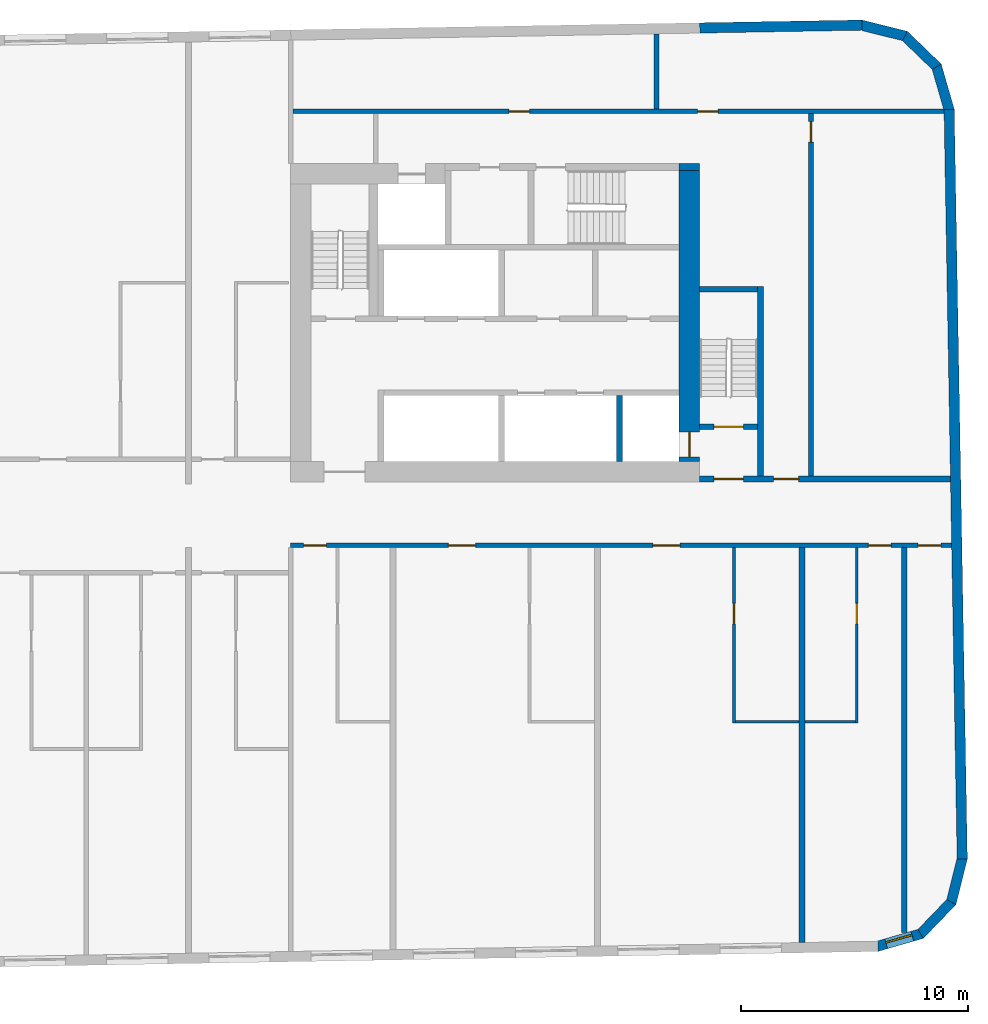
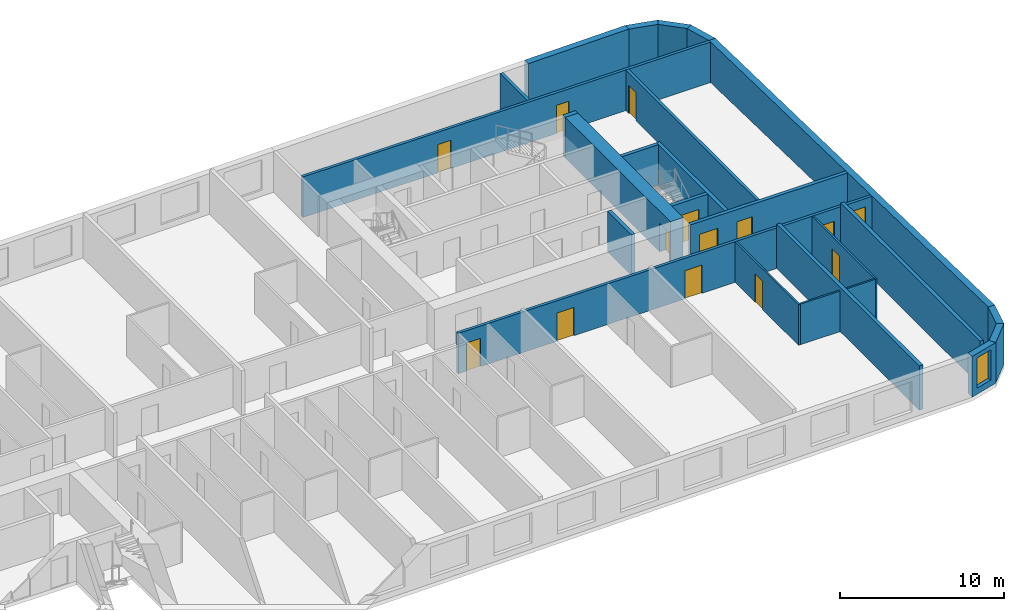
# One storey, part 7 of 11: 25 walls, 14 doors, 1 window, 15 openings.
"""IFC4 building model written with IfcOpenShell, lengths in metres."""

import ifcopenshell
import ifcopenshell.guid

model = None  # the IFC model being written
_history = None  # IfcOwnerHistory: only IFC2X3 demands one
_inside = {}  # id of a spatial element -> (the spatial element, [elements in it])
_under = {}  # id of a project, library or spatial element -> (it, [spatial elements below it])
_declared = {}  # id of a project -> (the project, [libraries it declares])
_typed = {}  # id of a type object -> (the type object, [elements of that type])
_made_of = {}  # id of a material, layer set ... -> (it, [elements and type objects made of it])


def new_model(schema):
    """Start an empty IFC model of exactly this schema.

    Asked for "IFC4X3", IfcOpenShell would pick the latest addendum, in which some entities
    have other attributes; the version numbers below select the first issue.
    IFC2X3 requires an IfcOwnerHistory on every rooted entity: one is made here for all.
    """
    global model, _history
    if schema == "IFC4X3":
        model = ifcopenshell.file(schema_version=(4, 3, 0, 0))
    else:
        model = ifcopenshell.file(schema=schema)
    _inside.clear()
    _under.clear()
    _declared.clear()
    _typed.clear()
    _made_of.clear()
    _history = None
    if model.schema == "IFC2X3":
        org = make("IfcOrganization", Name="unknown")
        user = make(
            "IfcPersonAndOrganization",
            ThePerson=make("IfcPerson", FamilyName="unknown"),
            TheOrganization=org,
        )
        app = make(
            "IfcApplication",
            ApplicationDeveloper=org,
            Version="unknown",
            ApplicationFullName="unknown",
            ApplicationIdentifier="unknown",
        )
        _history = make(
            "IfcOwnerHistory",
            OwningUser=user,
            OwningApplication=app,
            ChangeAction="ADDED",
            CreationDate=0,
        )
    return model


def make(cls, **values):
    """One entity of the class cls with the attributes given. An attribute that is None is left unset."""
    return model.create_entity(
        cls, **{name: value for name, value in values.items() if value is not None}
    )


def rooted(cls, **values):
    """An entity with a GlobalId (a new one), such as an element, a storey or a relation."""
    return make(cls, GlobalId=ifcopenshell.guid.new(), OwnerHistory=_history, **values)


def si_unit(unit_type, name, prefix=None):
    """IfcSIUnit, for example si_unit("LENGTHUNIT", "METRE", prefix="MILLI")."""
    return make("IfcSIUnit", UnitType=unit_type, Prefix=prefix, Name=name)


def assignment(units):
    """IfcUnitAssignment: the units of a project."""
    return None if units is None else make("IfcUnitAssignment", Units=units)


def point(xyz):
    """IfcCartesianPoint."""
    return None if xyz is None else make("IfcCartesianPoint", Coordinates=xyz)


def direction(xyz):
    """IfcDirection."""
    return None if xyz is None else make("IfcDirection", DirectionRatios=xyz)


def frame(location, z_axis=None, x_axis=None):
    """IfcAxis2Placement3D, a coordinate frame: its origin and axes. An axis left out is left unset."""
    return make(
        "IfcAxis2Placement3D",
        Location=point(location),
        Axis=direction(z_axis),
        RefDirection=direction(x_axis),
    )


def frame_2d(location, x_axis=None):
    """IfcAxis2Placement2D, a coordinate frame in the plane: its origin and x axis."""
    return make(
        "IfcAxis2Placement2D", Location=point(location), RefDirection=direction(x_axis)
    )


def origin():
    """The frame at (0, 0, 0) with its axes left unset."""
    return frame((0.0, 0.0, 0.0))


def place(relative_to, where):
    """IfcLocalPlacement: puts the frame where relative to a parent placement (None: the world)."""
    return make(
        "IfcLocalPlacement", PlacementRelTo=relative_to, RelativePlacement=where
    )


def context(
    kind, dimensions, precision=None, world=None, true_north=None, identifier=None
):
    """IfcGeometricRepresentationContext, for example the 3D "Model" context."""
    return make(
        "IfcGeometricRepresentationContext",
        ContextIdentifier=identifier,
        ContextType=kind,
        CoordinateSpaceDimension=dimensions,
        Precision=precision,
        WorldCoordinateSystem=world,
        TrueNorth=true_north,
    )


def subcontext(parent, identifier, kind, view, scale=None):
    """IfcGeometricRepresentationSubContext, for example "Body" below "Model"."""
    return make(
        "IfcGeometricRepresentationSubContext",
        ContextIdentifier=identifier,
        ContextType=kind,
        ParentContext=parent,
        TargetScale=scale,
        TargetView=view,
    )


def project(units=None, contexts=None):
    """IfcProject with its units and contexts."""
    return rooted(
        "IfcProject",
        Name="project",
        RepresentationContexts=contexts,
        UnitsInContext=assignment(units),
    )


def spatial(cls, under=None, at=None, **own):
    """A site, building, storey or space (cls), placed at a placement, below another one or the project."""
    s = rooted(cls, ObjectPlacement=at, **own)
    if under is not None:
        _under.setdefault(under.id(), (under, []))[1].append(s)
    return s


def polyline(points):
    """IfcPolyline through the points."""
    return make("IfcPolyline", Points=[point(p) for p in points])


def profile(cls, at=None, kind="AREA", **sizes):
    """A parametric profile (cls). Its sizes go by their IFC names, for example OverallWidth=200.0."""
    return make(cls, ProfileType=kind, Position=at, **sizes)


def rectangle(**sizes):
    """IfcRectangleProfileDef."""
    return profile("IfcRectangleProfileDef", **sizes)


def outline(outer, holes=None, kind="AREA"):
    """IfcArbitraryClosedProfileDef: a profile drawn as a closed curve; with holes, ...WithVoids."""
    if holes is None:
        return make("IfcArbitraryClosedProfileDef", ProfileType=kind, OuterCurve=outer)
    return make(
        "IfcArbitraryProfileDefWithVoids",
        ProfileType=kind,
        OuterCurve=outer,
        InnerCurves=holes,
    )


def extrude(swept, where, along, depth):
    """IfcExtrudedAreaSolid: the profile swept, set in the frame where, extruded along a direction by depth."""
    return make(
        "IfcExtrudedAreaSolid",
        SweptArea=swept,
        Position=where,
        ExtrudedDirection=direction(along),
        Depth=depth,
    )


def shape(context_of_items, identifier, shape_type, items):
    """IfcShapeRepresentation: the items that make up one representation, for example the "Body"."""
    return make(
        "IfcShapeRepresentation",
        ContextOfItems=context_of_items,
        RepresentationIdentifier=identifier,
        RepresentationType=shape_type,
        Items=items,
    )


def material(Name=None, Category=None):
    """IfcMaterial."""
    return make("IfcMaterial", Name=Name, Category=Category)


def layer(
    of_material, thickness, ventilated=None, Name=None, Category=None, Priority=None
):
    """IfcMaterialLayer: one layer of a wall or slab, of a material (None: an air gap)."""
    return make(
        "IfcMaterialLayer",
        Material=of_material,
        LayerThickness=thickness,
        IsVentilated=ventilated,
        Name=Name,
        Category=Category,
        Priority=Priority,
    )


def layer_set(layers, Name=None):
    """IfcMaterialLayerSet."""
    return make("IfcMaterialLayerSet", MaterialLayers=layers, LayerSetName=Name)


def made_of(thing, what):
    """Note that an element or type object is made of a material, layer set ...; save() writes the relation."""
    if what is not None:
        _made_of.setdefault(what.id(), (what, []))[1].append(thing)
    return thing


def type_object(cls, material=None, **own):
    """A type object (cls), such as IfcWallType, which elements share."""
    return made_of(rooted(cls, **own), material)


def element(
    cls,
    number,
    at=None,
    inside=None,
    cuts=None,
    type_object=None,
    material=None,
    context=None,
    identifier="Body",
    shape_type=None,
    held_by="IfcProductDefinitionShape",
    body=None,
    shapes=None,
    **own,
):
    """One element of the class cls, such as IfcWall. Its Tag is "e" and its number.

    at: its placement. inside: the storey or other place that contains it. cuts: it is an
    opening in that element (IfcRelVoidsElement). A single representation is given by context,
    identifier, shape_type and body (its items); several are given by shapes. held_by: the class
    of the entity that holds the representations. save() writes the other relations.
    """
    e = rooted(cls, Tag="e%d" % number, ObjectPlacement=at, **own)
    if body is not None:
        shapes = [shape(context, identifier, shape_type, body)]
    if shapes is not None:
        e.Representation = make(held_by, Representations=shapes)
    if inside is not None:
        _inside.setdefault(inside.id(), (inside, []))[1].append(e)
    if cuts is not None:
        rooted(
            "IfcRelVoidsElement", RelatingBuildingElement=cuts, RelatedOpeningElement=e
        )
    if type_object is not None:
        _typed.setdefault(type_object.id(), (type_object, []))[1].append(e)
    return made_of(e, material)


def fill(opening, filler):
    """IfcRelFillsElement: the door or window that sits in an opening."""
    return rooted(
        "IfcRelFillsElement",
        RelatingOpeningElement=opening,
        RelatedBuildingElement=filler,
    )


def aggregate(whole, parts):
    """IfcRelAggregates: a whole, such as a stair, and the parts it consists of."""
    return rooted("IfcRelAggregates", RelatingObject=whole, RelatedObjects=parts)


def save(model, path):
    """Write the relations noted so far, then the file.

    IfcRelAggregates (storeys below a building ...), IfcRelContainedInSpatialStructure (elements
    in a storey), IfcRelDefinesByType, IfcRelAssociatesMaterial and IfcRelDeclares: one each for
    every whole, place, type object, material and project.
    """
    for whole, parts in _under.values():
        aggregate(whole, parts)
    for where, things in _inside.values():
        rooted(
            "IfcRelContainedInSpatialStructure",
            RelatedElements=things,
            RelatingStructure=where,
        )
    for kind, things in _typed.values():
        rooted("IfcRelDefinesByType", RelatedObjects=things, RelatingType=kind)
    for what, things in _made_of.values():
        rooted("IfcRelAssociatesMaterial", RelatedObjects=things, RelatingMaterial=what)
    for by, libraries in _declared.values():
        rooted("IfcRelDeclares", RelatingContext=by, RelatedDefinitions=libraries)
    model.write(path)


model = new_model("IFC4")

# Units and contexts
model_context = context("Model", 3, precision=1e-05, world=origin(), true_north=direction((0.0, 1.0)))
body_context = subcontext(model_context, "Body", "Model", "MODEL_VIEW")
ifc_project = project(units=[si_unit("LENGTHUNIT", "METRE"), si_unit("AREAUNIT", "SQUARE_METRE"), si_unit("VOLUMEUNIT", "CUBIC_METRE"), si_unit("PLANEANGLEUNIT", "RADIAN"), si_unit("MASSUNIT", "GRAM", prefix="KILO")], contexts=[model_context])

# Site, building, storey
site_placement = place(None, origin())
site = spatial("IfcSite", under=ifc_project, at=site_placement, CompositionType="ELEMENT")
building_placement = place(site_placement, origin())
building = spatial("IfcBuilding", under=site, at=building_placement, Name="Kajstack Hotel Tower", CompositionType="ELEMENT")
storey_placement = place(building_placement, frame((0.0, 0.0, 244.10009765625)))
storey = spatial("IfcBuildingStorey", under=building, at=storey_placement, Name="L60", CompositionType="ELEMENT", Elevation=244.10009765625)

# Wall
ifc_material_1 = material(Name="Concrete C60/75", Category="concrete")
ifc_layer_1 = layer(ifc_material_1, 0.89990234375)
ifc_layer_set_1 = layer_set([ifc_layer_1], Name="Core wall 900")
wall_type_1 = type_object("IfcWallType", Name="Core wall 900", PredefinedType="SHEAR", material=ifc_layer_set_1)
wall_1_placement = place(storey_placement, frame((30.60009765625, 15.35009765625, 0.0), z_axis=(0.0, 0.0, 1.0), x_axis=(1.0, 0.0, 0.0)))
element("IfcWall", 1, at=wall_1_placement, inside=storey, type_object=wall_type_1, Name="Core wall E RSW", PredefinedType="SHEAR", context=body_context, shape_type="SweptSolid", body=[
    extrude(rectangle(XDim=0.89990234375, YDim=0.300048828125, at=frame_2d((0.449951171875, 0.0))), origin(), (0.0, 0.0, 1.0), 3.02001953125),
])

# Wall, opening, door
wall_2_placement = place(storey_placement, frame((31.050048828125, 2.39990234375, 0.0), z_axis=(0.0, 0.0, 1.0), x_axis=(0.0, 1.0, 0.0)))
wall_2 = element("IfcWall", 2, at=wall_2_placement, inside=storey, type_object=wall_type_1, Name="Core wall E RW", PredefinedType="SHEAR", context=body_context, shape_type="SweptSolid", body=[
    extrude(rectangle(XDim=12.800048828125, YDim=0.89990234375, at=frame_2d((6.39990234375, 0.0))), origin(), (0.0, 0.0, 1.0), 3.02001953125),
])
opening_1_placement = place(wall_2_placement, frame((0.199951171875, 0.0, 0.0)))
opening_1 = element("IfcOpeningElement", 3, at=opening_1_placement, cuts=wall_2, Name="Opening LD-FF2", PredefinedType="OPENING", context=body_context, shape_type="SweptSolid", body=[
    extrude(rectangle(XDim=1.10009765625, YDim=2.10009765625, at=frame_2d((0.550048828125, 1.050048828125))), frame((0.0, 0.4599609375, 0.0), z_axis=(0.0, -1.0, 0.0), x_axis=(1.0, 0.0, 0.0)), (0.0, 0.0, 1.0), 0.919921875),
])
ifc_material_2 = material(Name="Stainless steel", Category="steel")
door_type_1 = type_object("IfcDoorType", Name="Fire-fighting lift landing door 1100", OperationType="SLIDING_TO_LEFT", PredefinedType="DOOR", material=ifc_material_2)
door_1_placement = place(opening_1_placement, origin())
door_1 = element("IfcDoor", 4, at=door_1_placement, inside=storey, type_object=door_type_1, Name="Landing door FF2", OperationType="SLIDING_TO_LEFT", OverallHeight=2.10009765625, OverallWidth=1.10009765625, PredefinedType="DOOR", context=body_context, shape_type="SweptSolid", body=[
    extrude(rectangle(XDim=1.10009765625, YDim=2.10009765625, at=frame_2d((0.550048828125, 1.050048828125))), frame((0.0, 0.02490234375, 0.0), z_axis=(0.0, -1.0, 0.0), x_axis=(1.0, 0.0, 0.0)), (0.0, 0.0, 1.0), 0.050048828125),
])
fill(opening_1, door_1)

# Wall, openings, doors
ifc_material_3 = material(Name="Gypsum board on steel studs, mineral wool", Category="steel")
ifc_layer_2 = layer(ifc_material_3, 0.199951171875)
ifc_layer_set_2 = layer_set([ifc_layer_2], Name="Corridor wall 200")
wall_type_2 = type_object("IfcWallType", Name="Corridor wall 200", PredefinedType="PARTITIONING", material=ifc_layer_set_2)
wall_3_placement = place(storey_placement, frame((13.5, -1.300048828125, 0.0), z_axis=(0.0, 0.0, 1.0), x_axis=(1.0, 0.0, 0.0)))
wall_3 = element("IfcWall", 5, at=wall_3_placement, inside=storey, type_object=wall_type_2, Name="G-wall-L60-021", PredefinedType="PARTITIONING", context=body_context, shape_type="SweptSolid", body=[
    extrude(rectangle(XDim=29.091064453125, YDim=0.199951171875, at=frame_2d((14.54541015625, 0.0))), origin(), (0.0, 0.0, 1.0), 3.02001953125),
])
opening_2_placement = place(wall_3_placement, frame((0.574951171875, 0.0, 0.0)))
opening_2 = element("IfcOpeningElement", 6, at=opening_2_placement, cuts=wall_3, Name="Opening 60027", PredefinedType="OPENING", context=body_context, shape_type="SweptSolid", body=[
    extrude(rectangle(XDim=1.0, YDim=2.10009765625, at=frame_2d((0.5, 1.050048828125))), frame((0.0, 0.10986328125, 0.0), z_axis=(0.0, -1.0, 0.0), x_axis=(1.0, 0.0, 0.0)), (0.0, 0.0, 1.0), 0.219970703125),
])
opening_3_placement = place(wall_3_placement, frame((6.93798828125, 0.0, 0.0)))
opening_3 = element("IfcOpeningElement", 7, at=opening_3_placement, cuts=wall_3, Name="Opening 60029", PredefinedType="OPENING", context=body_context, shape_type="SweptSolid", body=[
    extrude(rectangle(XDim=1.199951171875, YDim=2.10009765625, at=frame_2d((0.60009765625, 1.050048828125))), frame((0.0, 0.10986328125, 0.0), z_axis=(0.0, -1.0, 0.0), x_axis=(1.0, 0.0, 0.0)), (0.0, 0.0, 1.0), 0.219970703125),
])
opening_4_placement = place(wall_3_placement, frame((15.93798828125, 0.0, 0.0)))
opening_4 = element("IfcOpeningElement", 8, at=opening_4_placement, cuts=wall_3, Name="Opening 60031", PredefinedType="OPENING", context=body_context, shape_type="SweptSolid", body=[
    extrude(rectangle(XDim=1.199951171875, YDim=2.10009765625, at=frame_2d((0.60009765625, 1.050048828125))), frame((0.0, 0.10986328125, 0.0), z_axis=(0.0, -1.0, 0.0), x_axis=(1.0, 0.0, 0.0)), (0.0, 0.0, 1.0), 0.219970703125),
])
opening_5_placement = place(wall_3_placement, frame((25.425048828125, 0.0, 0.0)))
opening_5 = element("IfcOpeningElement", 9, at=opening_5_placement, cuts=wall_3, Name="Opening 60033", PredefinedType="OPENING", context=body_context, shape_type="SweptSolid", body=[
    extrude(rectangle(XDim=1.0, YDim=2.10009765625, at=frame_2d((0.5, 1.050048828125))), frame((0.0, 0.10986328125, 0.0), z_axis=(0.0, -1.0, 0.0), x_axis=(1.0, 0.0, 0.0)), (0.0, 0.0, 1.0), 0.219970703125),
])
opening_6_placement = place(wall_3_placement, frame((27.611083984375, 0.0, 0.0)))
opening_6 = element("IfcOpeningElement", 10, at=opening_6_placement, cuts=wall_3, Name="Opening 60035", PredefinedType="OPENING", context=body_context, shape_type="SweptSolid", body=[
    extrude(rectangle(XDim=1.0, YDim=2.39990234375, at=frame_2d((0.5, 1.199951171875))), frame((0.0, 0.10986328125, 0.0), z_axis=(0.0, -1.0, 0.0), x_axis=(1.0, 0.0, 0.0)), (0.0, 0.0, 1.0), 0.219970703125),
])
ifc_material_4 = material(Name="Oak veneer on timber core, fire-rated leaf", Category="wood")
door_type_2 = type_object("IfcDoorType", Name="Flat entrance door 1000", OperationType="SINGLE_SWING_LEFT", PredefinedType="DOOR", material=ifc_material_4)
door_2_placement = place(opening_2_placement, origin())
door_2 = element("IfcDoor", 11, at=door_2_placement, inside=storey, type_object=door_type_2, Name="G-door-L60-27", OperationType="SINGLE_SWING_LEFT", OverallHeight=2.10009765625, OverallWidth=1.0, PredefinedType="DOOR", context=body_context, shape_type="SweptSolid", body=[
    extrude(rectangle(XDim=1.0, YDim=2.10009765625, at=frame_2d((0.5, 1.050048828125))), frame((0.0, 0.02490234375, 0.0), z_axis=(0.0, -1.0, 0.0), x_axis=(1.0, 0.0, 0.0)), (0.0, 0.0, 1.0), 0.050048828125),
])
fill(opening_2, door_2)
door_3_placement = place(opening_5_placement, origin())
door_3 = element("IfcDoor", 12, at=door_3_placement, inside=storey, type_object=door_type_2, Name="G-door-L60-33", OperationType="SINGLE_SWING_LEFT", OverallHeight=2.10009765625, OverallWidth=1.0, PredefinedType="DOOR", context=body_context, shape_type="SweptSolid", body=[
    extrude(rectangle(XDim=1.0, YDim=2.10009765625, at=frame_2d((0.5, 1.050048828125))), frame((0.0, 0.02490234375, 0.0), z_axis=(0.0, -1.0, 0.0), x_axis=(1.0, 0.0, 0.0)), (0.0, 0.0, 1.0), 0.050048828125),
])
fill(opening_5, door_3)
door_type_3 = type_object("IfcDoorType", Name="Flat entrance door 1200", OperationType="SINGLE_SWING_LEFT", PredefinedType="DOOR", material=ifc_material_4)
door_4_placement = place(opening_3_placement, origin())
door_4 = element("IfcDoor", 13, at=door_4_placement, inside=storey, type_object=door_type_3, Name="G-door-L60-29", OperationType="SINGLE_SWING_LEFT", OverallHeight=2.10009765625, OverallWidth=1.199951171875, PredefinedType="DOOR", context=body_context, shape_type="SweptSolid", body=[
    extrude(rectangle(XDim=1.199951171875, YDim=2.10009765625, at=frame_2d((0.60009765625, 1.050048828125))), frame((0.0, 0.02490234375, 0.0), z_axis=(0.0, -1.0, 0.0), x_axis=(1.0, 0.0, 0.0)), (0.0, 0.0, 1.0), 0.050048828125),
])
fill(opening_3, door_4)
door_5_placement = place(opening_4_placement, origin())
door_5 = element("IfcDoor", 14, at=door_5_placement, inside=storey, type_object=door_type_3, Name="G-door-L60-31", OperationType="SINGLE_SWING_LEFT", OverallHeight=2.10009765625, OverallWidth=1.199951171875, PredefinedType="DOOR", context=body_context, shape_type="SweptSolid", body=[
    extrude(rectangle(XDim=1.199951171875, YDim=2.10009765625, at=frame_2d((0.60009765625, 1.050048828125))), frame((0.0, 0.02490234375, 0.0), z_axis=(0.0, -1.0, 0.0), x_axis=(1.0, 0.0, 0.0)), (0.0, 0.0, 1.0), 0.050048828125),
])
fill(opening_4, door_5)
ifc_material_5 = material(Name="Steel-faced door leaf, fire-rated", Category="steel")
door_type_4 = type_object("IfcDoorType", Name="Store door 1000", OperationType="SINGLE_SWING_LEFT", PredefinedType="DOOR", material=ifc_material_5)
door_6_placement = place(opening_6_placement, origin())
door_6 = element("IfcDoor", 15, at=door_6_placement, inside=storey, type_object=door_type_4, Name="G-door-L60-35", OperationType="SINGLE_SWING_LEFT", OverallHeight=2.39990234375, OverallWidth=1.0, PredefinedType="DOOR", context=body_context, shape_type="SweptSolid", body=[
    extrude(rectangle(XDim=1.0, YDim=2.39990234375, at=frame_2d((0.5, 1.199951171875))), frame((0.0, 0.02490234375, 0.0), z_axis=(0.0, -1.0, 0.0), x_axis=(1.0, 0.0, 0.0)), (0.0, 0.0, 1.0), 0.050048828125),
])
fill(opening_6, door_6)

# Wall, opening, window
ifc_material_6 = material(Name="Terracotta-faced brick masonry", Category="masonry")
ifc_layer_3 = layer(ifc_material_6, 0.449951171875)
ifc_layer_set_3 = layer_set([ifc_layer_3], Name="EW-TERRA")
wall_type_3 = type_object("IfcWallType", Name="EW-TERRA", PredefinedType="SOLIDWALL", material=ifc_layer_set_3)
wall_4_placement = place(storey_placement, frame((39.290283203125, -18.952392578125, 0.0), z_axis=(0.0, 0.0, 1.0), x_axis=(0.961247584925, 0.275686562016, 0.0)))
wall_4 = element("IfcWall", 16, at=wall_4_placement, inside=storey, type_object=wall_type_3, Name="E-wall-L60-05-00", PredefinedType="SOLIDWALL", context=body_context, shape_type="SweptSolid", body=[
    extrude(outline(polyline([(0.0, -0.224853515625), (2.070556640625, -0.22509765625), (1.949951171875, 0.224853515625), (0.12060546875, 0.22509765625), (0.0, -0.224853515625)])), origin(), (0.0, 0.0, 1.0), 3.02001953125),
])
opening_7_placement = place(wall_4_placement, frame((0.435302734375, 0.0, 0.449951171875)))
opening_7 = element("IfcOpeningElement", 17, at=opening_7_placement, cuts=wall_4, Name="Opening W3", PredefinedType="OPENING", context=body_context, shape_type="SweptSolid", body=[
    extrude(rectangle(XDim=1.199951171875, YDim=2.25, at=frame_2d((0.60009765625, 1.125))), frame((0.0, 0.23486328125, 0.0), z_axis=(0.0, -1.0, 0.0), x_axis=(1.0, 0.0, 0.0)), (0.0, 0.0, 1.0), 0.469970703125),
])
ifc_material_7 = material(Name="Timber-aluminium window, triple glazed", Category="wood")
window_type = type_object("IfcWindowType", Name="WG3", PartitioningType="SINGLE_PANEL", PredefinedType="WINDOW", material=ifc_material_7)
window_placement = place(opening_7_placement, origin())
window = element("IfcWindow", 18, at=window_placement, inside=storey, type_object=window_type, Name="Window W3 L60-05", OverallHeight=2.25, OverallWidth=1.199951171875, PartitioningType="SINGLE_PANEL", PredefinedType="WINDOW", context=body_context, shape_type="SweptSolid", body=[
    extrude(rectangle(XDim=1.199951171875, YDim=2.25, at=frame_2d((0.60009765625, 1.125))), frame((0.0, 0.090087890625, 0.0), z_axis=(0.0, -1.0, 0.0), x_axis=(1.0, 0.0, 0.0)), (0.0, 0.0, 1.0), 0.06005859375),
])
fill(opening_7, window)

# Walls
wall_5_placement = place(storey_placement, frame((41.1806640625, -18.441650390625, 0.0), z_axis=(0.0, 0.0, 1.0), x_axis=(0.694678672846, 0.719320193998, 0.0)))
element("IfcWall", 19, at=wall_5_placement, inside=storey, type_object=wall_type_3, Name="E-wall-L60-06-00", PredefinedType="SOLIDWALL", context=body_context, shape_type="SweptSolid", body=[
    extrude(outline(polyline([(0.0, -0.22509765625), (2.07080078125, -0.224853515625), (1.9501953125, 0.22509765625), (0.12060546875, 0.22509765625), (0.0, -0.22509765625)])), origin(), (0.0, 0.0, 1.0), 3.02001953125),
])
wall_6_placement = place(storey_placement, frame((42.562744140625, -17.053955078125, 0.0), z_axis=(0.0, 0.0, 1.0), x_axis=(0.241841950319, 0.970315655375, 0.0)))
element("IfcWall", 20, at=wall_6_placement, inside=storey, type_object=wall_type_3, Name="E-wall-L60-07-00", PredefinedType="SOLIDWALL", context=body_context, shape_type="SweptSolid", body=[
    extrude(outline(polyline([(0.0, -0.224853515625), (2.070556640625, -0.22509765625), (1.949951171875, 0.224853515625), (0.12060546875, 0.22509765625), (0.0, -0.224853515625)])), origin(), (0.0, 0.0, 1.0), 3.02001953125),
])
wall_7_placement = place(storey_placement, frame((43.056884765625, -15.103271484375, 0.0), z_axis=(0.0, 0.0, 1.0), x_axis=(-0.017452408953, 0.999847695112, 0.0)))
element("IfcWall", 21, at=wall_7_placement, inside=storey, type_object=wall_type_3, Name="E-wall-L60-08-00", PredefinedType="SOLIDWALL", context=body_context, shape_type="SweptSolid", body=[
    extrude(rectangle(XDim=33.0, YDim=0.449951171875, at=frame_2d((16.5, 0.0))), origin(), (0.0, 0.0, 1.0), 3.02001953125),
])
wall_8_placement = place(storey_placement, frame((42.489501953125, 17.83349609375, 0.0), z_axis=(0.0, 0.0, 1.0), x_axis=(-0.275546368831, 0.961287781377, 0.0)))
element("IfcWall", 22, at=wall_8_placement, inside=storey, type_object=wall_type_3, Name="E-wall-L60-09-00", PredefinedType="SOLIDWALL", context=body_context, shape_type="SweptSolid", body=[
    extrude(outline(polyline([(0.0, -0.22509765625), (2.070556640625, -0.224853515625), (1.949951171875, 0.22509765625), (0.12060546875, 0.224853515625), (0.0, -0.22509765625)])), origin(), (0.0, 0.0, 1.0), 3.02001953125),
])
wall_9_placement = place(storey_placement, frame((41.97900390625, 19.72412109375, 0.0), z_axis=(0.0, 0.0, 1.0), x_axis=(-0.719379111448, 0.694617660308, 0.0)))
element("IfcWall", 23, at=wall_9_placement, inside=storey, type_object=wall_type_3, Name="E-wall-L60-10-00", PredefinedType="SOLIDWALL", context=body_context, shape_type="SweptSolid", body=[
    extrude(outline(polyline([(0.0, -0.224853515625), (2.070556640625, -0.22509765625), (1.949951171875, 0.224853515625), (0.12060546875, 0.22509765625), (0.0, -0.224853515625)])), origin(), (0.0, 0.0, 1.0), 3.02001953125),
])
wall_10_placement = place(storey_placement, frame((40.59130859375, 21.10595703125, 0.0), z_axis=(0.0, 0.0, 1.0), x_axis=(-0.970287979719, 0.241952963225, 0.0)))
element("IfcWall", 24, at=wall_10_placement, inside=storey, type_object=wall_type_3, Name="E-wall-L60-11-00", PredefinedType="SOLIDWALL", context=body_context, shape_type="SweptSolid", body=[
    extrude(outline(polyline([(0.0, -0.22509765625), (2.070556640625, -0.224853515625), (1.949951171875, 0.22509765625), (0.12060546875, 0.224853515625), (0.0, -0.22509765625)])), origin(), (0.0, 0.0, 1.0), 3.02001953125),
])
wall_11_placement = place(storey_placement, frame((38.640625, 21.600341796875, 0.0), z_axis=(0.0, 0.0, 1.0), x_axis=(-0.999847245074, -0.017478172627, 0.0)))
element("IfcWall", 25, at=wall_11_placement, inside=storey, type_object=wall_type_3, Name="E-wall-L60-12-00", PredefinedType="SOLIDWALL", context=body_context, shape_type="SweptSolid", body=[
    extrude(rectangle(XDim=7.1376953125, YDim=0.449951171875, at=frame_2d((3.56884765625, 0.0))), origin(), (0.0, 0.0, 1.0), 3.02001953125),
])

# Wall, opening, door
ifc_material_8 = material(Name="Gypsum board and tiled backer on steel studs", Category="steel")
ifc_layer_4 = layer(ifc_material_8, 0.125)
ifc_layer_set_4 = layer_set([ifc_layer_4], Name="En-suite wall 125")
wall_type_4 = type_object("IfcWallType", Name="En-suite wall 125", PredefinedType="PARTITIONING", material=ifc_layer_set_4)
wall_12_placement = place(storey_placement, frame((33.012939453125, -9.125, 0.0), z_axis=(0.0, 0.0, 1.0), x_axis=(0.0, 1.0, 0.0)))
wall_12 = element("IfcWall", 26, at=wall_12_placement, inside=storey, type_object=wall_type_4, Name="G-wall-L60-041", PredefinedType="PARTITIONING", context=body_context, shape_type="SweptSolid", body=[
    extrude(rectangle(XDim=7.72509765625, YDim=0.125, at=frame_2d((3.862548828125, 0.0))), origin(), (0.0, 0.0, 1.0), 3.02001953125),
])
opening_8_placement = place(wall_12_placement, frame((4.375, 0.0, 0.0)))
opening_8 = element("IfcOpeningElement", 27, at=opening_8_placement, cuts=wall_12, Name="Opening 60032", PredefinedType="OPENING", context=body_context, shape_type="SweptSolid", body=[
    extrude(rectangle(XDim=0.89990234375, YDim=2.10009765625, at=frame_2d((0.449951171875, 1.050048828125))), frame((0.0, 0.072509765625, 0.0), z_axis=(0.0, -1.0, 0.0), x_axis=(1.0, 0.0, 0.0)), (0.0, 0.0, 1.0), 0.14501953125),
])
ifc_material_9 = material(Name="Painted timber door leaf", Category="wood")
door_type_5 = type_object("IfcDoorType", Name="Room door 900", OperationType="SINGLE_SWING_LEFT", PredefinedType="DOOR", material=ifc_material_9)
door_7_placement = place(opening_8_placement, origin())
door_7 = element("IfcDoor", 28, at=door_7_placement, inside=storey, type_object=door_type_5, Name="G-door-L60-32", OperationType="SINGLE_SWING_LEFT", OverallHeight=2.10009765625, OverallWidth=0.89990234375, PredefinedType="DOOR", context=body_context, shape_type="SweptSolid", body=[
    extrude(rectangle(XDim=0.89990234375, YDim=2.10009765625, at=frame_2d((0.449951171875, 1.050048828125))), frame((0.0, 0.02490234375, 0.0), z_axis=(0.0, -1.0, 0.0), x_axis=(1.0, 0.0, 0.0)), (0.0, 0.0, 1.0), 0.050048828125),
])
fill(opening_8, door_7)

# Wall
wall_13_placement = place(storey_placement, frame((33.074951171875, -9.06201171875, 0.0), z_axis=(0.0, 0.0, 1.0), x_axis=(1.0, 0.0, 0.0)))
element("IfcWall", 29, at=wall_13_placement, inside=storey, type_object=wall_type_4, Name="G-wall-L60-042", PredefinedType="PARTITIONING", context=body_context, shape_type="SweptSolid", body=[
    extrude(rectangle(XDim=2.800048828125, YDim=0.125, at=frame_2d((1.39990234375, 0.0))), origin(), (0.0, 0.0, 1.0), 3.02001953125),
])

# Wall, opening, door
wall_14_placement = place(storey_placement, frame((38.4130859375, -9.125, 0.0), z_axis=(0.0, 0.0, 1.0), x_axis=(0.0, 1.0, 0.0)))
wall_14 = element("IfcWall", 30, at=wall_14_placement, inside=storey, type_object=wall_type_4, Name="G-wall-L60-043", PredefinedType="PARTITIONING", context=body_context, shape_type="SweptSolid", body=[
    extrude(rectangle(XDim=7.72509765625, YDim=0.125, at=frame_2d((3.862548828125, 0.0))), origin(), (0.0, 0.0, 1.0), 3.02001953125),
])
opening_9_placement = place(wall_14_placement, frame((4.375, 0.0, 0.0)))
opening_9 = element("IfcOpeningElement", 31, at=opening_9_placement, cuts=wall_14, Name="Opening 60034", PredefinedType="OPENING", context=body_context, shape_type="SweptSolid", body=[
    extrude(rectangle(XDim=0.89990234375, YDim=2.10009765625, at=frame_2d((0.449951171875, 1.050048828125))), frame((0.0, 0.072509765625, 0.0), z_axis=(0.0, -1.0, 0.0), x_axis=(1.0, 0.0, 0.0)), (0.0, 0.0, 1.0), 0.14501953125),
])
door_8_placement = place(opening_9_placement, origin())
door_8 = element("IfcDoor", 32, at=door_8_placement, inside=storey, type_object=door_type_5, Name="G-door-L60-34", OperationType="SINGLE_SWING_RIGHT", OverallHeight=2.10009765625, OverallWidth=0.89990234375, PredefinedType="DOOR", context=body_context, shape_type="SweptSolid", body=[
    extrude(rectangle(XDim=0.89990234375, YDim=2.10009765625, at=frame_2d((0.449951171875, 1.050048828125))), frame((0.0, 0.02490234375, 0.0), z_axis=(0.0, -1.0, 0.0), x_axis=(1.0, 0.0, 0.0)), (0.0, 0.0, 1.0), 0.050048828125),
])
fill(opening_9, door_8)

# Walls
wall_15_placement = place(storey_placement, frame((36.125, -9.06201171875, 0.0), z_axis=(0.0, 0.0, 1.0), x_axis=(1.0, 0.0, 0.0)))
element("IfcWall", 33, at=wall_15_placement, inside=storey, type_object=wall_type_4, Name="G-wall-L60-044", PredefinedType="PARTITIONING", context=body_context, shape_type="SweptSolid", body=[
    extrude(rectangle(XDim=2.22509765625, YDim=0.125, at=frame_2d((1.112548828125, 0.0))), origin(), (0.0, 0.0, 1.0), 3.02001953125),
])
ifc_material_10 = material(Name="Concrete C45/55", Category="concrete")
ifc_layer_5 = layer(ifc_material_10, 0.25)
ifc_layer_set_5 = layer_set([ifc_layer_5], Name="RC cross wall 250 C45/55")
wall_type_5 = type_object("IfcWallType", Name="RC cross wall 250 C45/55", PredefinedType="SHEAR", material=ifc_layer_set_5)
wall_16_placement = place(storey_placement, frame((36.0, -18.764892578125, 0.0), z_axis=(0.0, 0.0, 1.0), x_axis=(0.0, 1.0, 0.0)))
element("IfcWall", 34, at=wall_16_placement, inside=storey, type_object=wall_type_5, Name="S-wall-L60-12", PredefinedType="SHEAR", context=body_context, shape_type="SweptSolid", body=[
    extrude(rectangle(XDim=17.364990234375, YDim=0.25, at=frame_2d((8.6826171875, 0.0))), origin(), (0.0, 0.0, 1.0), 3.2998046875),
])
wall_17_placement = place(storey_placement, frame((40.5, -18.3251953125, 0.0), z_axis=(0.0, 0.0, 1.0), x_axis=(0.0, 1.0, 0.0)))
element("IfcWall", 35, at=wall_17_placement, inside=storey, type_object=wall_type_5, Name="S-wall-L60-13", PredefinedType="SHEAR", context=body_context, shape_type="SweptSolid", body=[
    extrude(rectangle(XDim=16.92529296875, YDim=0.25, at=frame_2d((8.462646484375, 0.0))), origin(), (0.0, 0.0, 1.0), 3.2998046875),
])

# Wall, openings, doors
ifc_layer_6 = layer(ifc_material_3, 0.199951171875)
ifc_layer_set_6 = layer_set([ifc_layer_6], Name="Service partition 200")
wall_type_6 = type_object("IfcWallType", Name="Service partition 200", PredefinedType="PARTITIONING", material=ifc_layer_set_6)
wall_18_placement = place(storey_placement, frame((31.5, 1.625, 0.0), z_axis=(0.0, 0.0, 1.0), x_axis=(1.0, 0.0, 0.0)))
wall_18 = element("IfcWall", 36, at=wall_18_placement, inside=storey, type_object=wall_type_6, Name="Partition E SN", PredefinedType="PARTITIONING", context=body_context, shape_type="SweptSolid", body=[
    extrude(rectangle(XDim=11.039794921875, YDim=0.25, at=frame_2d((5.52001953125, 0.0))), origin(), (0.0, 0.0, 1.0), 3.02001953125),
])
opening_10_placement = place(wall_18_placement, frame((0.625, 0.0, 0.0)))
opening_10 = element("IfcOpeningElement", 37, at=opening_10_placement, cuts=wall_18, Name="Opening 60E08", PredefinedType="OPENING", context=body_context, shape_type="SweptSolid", body=[
    extrude(rectangle(XDim=1.300048828125, YDim=2.10009765625, at=frame_2d((0.64990234375, 1.050048828125))), frame((0.0, 0.135009765625, 0.0), z_axis=(0.0, -1.0, 0.0), x_axis=(1.0, 0.0, 0.0)), (0.0, 0.0, 1.0), 0.27001953125),
])
opening_11_placement = place(wall_18_placement, frame((3.25, 0.0, 0.0)))
opening_11 = element("IfcOpeningElement", 38, at=opening_11_placement, cuts=wall_18, Name="Opening 60E10", PredefinedType="OPENING", context=body_context, shape_type="SweptSolid", body=[
    extrude(rectangle(XDim=1.10009765625, YDim=2.10009765625, at=frame_2d((0.550048828125, 1.050048828125))), frame((0.0, 0.135009765625, 0.0), z_axis=(0.0, -1.0, 0.0), x_axis=(1.0, 0.0, 0.0)), (0.0, 0.0, 1.0), 0.27001953125),
])
ifc_material_11 = material(Name="Steel leaf, fire-rated", Category="steel")
door_type_6 = type_object("IfcDoorType", Name="Fire lobby door 1300", OperationType="SINGLE_SWING_LEFT", PredefinedType="DOOR", material=ifc_material_11)
door_9_placement = place(opening_10_placement, origin())
door_9 = element("IfcDoor", 39, at=door_9_placement, inside=storey, type_object=door_type_6, Name="Door 60E08", OperationType="SINGLE_SWING_LEFT", OverallHeight=2.10009765625, OverallWidth=1.300048828125, PredefinedType="DOOR", context=body_context, shape_type="SweptSolid", body=[
    extrude(rectangle(XDim=1.300048828125, YDim=2.10009765625, at=frame_2d((0.64990234375, 1.050048828125))), frame((0.0, 0.02490234375, 0.0), z_axis=(0.0, -1.0, 0.0), x_axis=(1.0, 0.0, 0.0)), (0.0, 0.0, 1.0), 0.050048828125),
])
fill(opening_10, door_9)
ifc_material_12 = material(Name="Timber leaf, fire-rated", Category="wood")
door_type_7 = type_object("IfcDoorType", Name="Service corridor door 1100", OperationType="SINGLE_SWING_LEFT", PredefinedType="DOOR", material=ifc_material_12)
door_10_placement = place(opening_11_placement, origin())
door_10 = element("IfcDoor", 40, at=door_10_placement, inside=storey, type_object=door_type_7, Name="Door 60E10", OperationType="SINGLE_SWING_LEFT", OverallHeight=2.10009765625, OverallWidth=1.10009765625, PredefinedType="DOOR", context=body_context, shape_type="SweptSolid", body=[
    extrude(rectangle(XDim=1.10009765625, YDim=2.10009765625, at=frame_2d((0.550048828125, 1.050048828125))), frame((0.0, 0.02490234375, 0.0), z_axis=(0.0, -1.0, 0.0), x_axis=(1.0, 0.0, 0.0)), (0.0, 0.0, 1.0), 0.050048828125),
])
fill(opening_11, door_10)

# Wall, opening, door
wall_19_placement = place(storey_placement, frame((36.39990234375, 1.75, 0.0), z_axis=(0.0, 0.0, 1.0), x_axis=(0.0, 1.0, 0.0)))
wall_19 = element("IfcWall", 41, at=wall_19_placement, inside=storey, type_object=wall_type_6, Name="Partition E WRE", PredefinedType="PARTITIONING", context=body_context, shape_type="SweptSolid", body=[
    extrude(rectangle(XDim=15.949951171875, YDim=0.199951171875, at=frame_2d((7.97509765625, 0.0))), origin(), (0.0, 0.0, 1.0), 3.02001953125),
])
opening_12_placement = place(wall_19_placement, frame((14.699951171875, 0.0, 0.0)))
opening_12 = element("IfcOpeningElement", 42, at=opening_12_placement, cuts=wall_19, Name="Opening 60E18", PredefinedType="OPENING", context=body_context, shape_type="SweptSolid", body=[
    extrude(rectangle(XDim=0.89990234375, YDim=2.10009765625, at=frame_2d((0.449951171875, 1.050048828125))), frame((0.0, 0.10986328125, 0.0), z_axis=(0.0, -1.0, 0.0), x_axis=(1.0, 0.0, 0.0)), (0.0, 0.0, 1.0), 0.219970703125),
])
door_type_8 = type_object("IfcDoorType", Name="Service door 900", OperationType="SINGLE_SWING_LEFT", PredefinedType="DOOR", material=ifc_material_12)
door_11_placement = place(opening_12_placement, origin())
door_11 = element("IfcDoor", 43, at=door_11_placement, inside=storey, type_object=door_type_8, Name="Door 60E18", OperationType="SINGLE_SWING_RIGHT", OverallHeight=2.10009765625, OverallWidth=0.89990234375, PredefinedType="DOOR", context=body_context, shape_type="SweptSolid", body=[
    extrude(rectangle(XDim=0.89990234375, YDim=2.10009765625, at=frame_2d((0.449951171875, 1.050048828125))), frame((0.0, 0.02490234375, 0.0), z_axis=(0.0, -1.0, 0.0), x_axis=(1.0, 0.0, 0.0)), (0.0, 0.0, 1.0), 0.050048828125),
])
fill(opening_12, door_11)

# Wall, openings, doors
wall_20_placement = place(storey_placement, frame((13.60009765625, 17.800048828125, 0.0), z_axis=(0.0, 0.0, 1.0), x_axis=(1.0, 0.0, 0.0)))
wall_20 = element("IfcWall", 44, at=wall_20_placement, inside=storey, type_object=wall_type_6, Name="Partition E SLN", PredefinedType="PARTITIONING", context=body_context, shape_type="SweptSolid", body=[
    extrude(rectangle(XDim=28.657470703125, YDim=0.199951171875, at=frame_2d((14.32861328125, 0.0))), origin(), (0.0, 0.0, 1.0), 3.02001953125),
])
opening_13_placement = place(wall_20_placement, frame((17.8125, 0.0, 0.0)))
opening_13 = element("IfcOpeningElement", 45, at=opening_13_placement, cuts=wall_20, Name="Opening 60E16", PredefinedType="OPENING", context=body_context, shape_type="SweptSolid", body=[
    extrude(rectangle(XDim=0.89990234375, YDim=2.10009765625, at=frame_2d((0.449951171875, 1.050048828125))), frame((0.0, 0.10986328125, 0.0), z_axis=(0.0, -1.0, 0.0), x_axis=(1.0, 0.0, 0.0)), (0.0, 0.0, 1.0), 0.219970703125),
])
opening_14_placement = place(wall_20_placement, frame((9.512451171875, 0.0, 0.0)))
opening_14 = element("IfcOpeningElement", 46, at=opening_14_placement, cuts=wall_20, Name="Opening 60E17", PredefinedType="OPENING", context=body_context, shape_type="SweptSolid", body=[
    extrude(rectangle(XDim=0.89990234375, YDim=2.10009765625, at=frame_2d((0.449951171875, 1.050048828125))), frame((0.0, 0.10986328125, 0.0), z_axis=(0.0, -1.0, 0.0), x_axis=(1.0, 0.0, 0.0)), (0.0, 0.0, 1.0), 0.219970703125),
])
door_12_placement = place(opening_13_placement, origin())
door_12 = element("IfcDoor", 47, at=door_12_placement, inside=storey, type_object=door_type_8, Name="Door 60E16", OperationType="SINGLE_SWING_LEFT", OverallHeight=2.10009765625, OverallWidth=0.89990234375, PredefinedType="DOOR", context=body_context, shape_type="SweptSolid", body=[
    extrude(rectangle(XDim=0.89990234375, YDim=2.10009765625, at=frame_2d((0.449951171875, 1.050048828125))), frame((0.0, 0.02490234375, 0.0), z_axis=(0.0, -1.0, 0.0), x_axis=(1.0, 0.0, 0.0)), (0.0, 0.0, 1.0), 0.050048828125),
])
fill(opening_13, door_12)
door_13_placement = place(opening_14_placement, origin())
door_13 = element("IfcDoor", 48, at=door_13_placement, inside=storey, type_object=door_type_8, Name="Door 60E17", OperationType="SINGLE_SWING_LEFT", OverallHeight=2.10009765625, OverallWidth=0.89990234375, PredefinedType="DOOR", context=body_context, shape_type="SweptSolid", body=[
    extrude(rectangle(XDim=0.89990234375, YDim=2.10009765625, at=frame_2d((0.449951171875, 1.050048828125))), frame((0.0, 0.02490234375, 0.0), z_axis=(0.0, -1.0, 0.0), x_axis=(1.0, 0.0, 0.0)), (0.0, 0.0, 1.0), 0.050048828125),
])
fill(opening_14, door_13)

# Walls
wall_21_placement = place(storey_placement, frame((29.60009765625, 17.89990234375, 0.0), z_axis=(0.0, 0.0, 1.0), x_axis=(0.0, 1.0, 0.0)))
element("IfcWall", 49, at=wall_21_placement, inside=storey, type_object=wall_type_6, Name="Partition E SLP0", PredefinedType="PARTITIONING", context=body_context, shape_type="SweptSolid", body=[
    extrude(rectangle(XDim=3.317626953125, YDim=0.199951171875, at=frame_2d((1.65869140625, 0.0))), origin(), (0.0, 0.0, 1.0), 3.02001953125),
])
ifc_material_13 = material(Name="Concrete C50/60", Category="concrete")
ifc_layer_7 = layer(ifc_material_13, 0.25)
ifc_layer_set_7 = layer_set([ifc_layer_7], Name="Shaft wall 250")
wall_type_7 = type_object("IfcWallType", Name="Shaft wall 250", PredefinedType="SHEAR", material=ifc_layer_set_7)
wall_22_placement = place(storey_placement, frame((27.97509765625, 2.39990234375, 0.0), z_axis=(0.0, 0.0, 1.0), x_axis=(0.0, 1.0, 0.0)))
element("IfcWall", 50, at=wall_22_placement, inside=storey, type_object=wall_type_7, Name="Core wall E AP0", PredefinedType="SHEAR", context=body_context, shape_type="SweptSolid", body=[
    extrude(rectangle(XDim=2.900146484375, YDim=0.25, at=frame_2d((1.4501953125, 0.0))), origin(), (0.0, 0.0, 1.0), 3.02001953125),
])

# Wall, opening, door
ifc_material_14 = material(Name="Concrete C40/50", Category="concrete")
ifc_layer_8 = layer(ifc_material_14, 0.25)
ifc_layer_set_8 = layer_set([ifc_layer_8], Name="Stair enclosure wall 250")
wall_type_8 = type_object("IfcWallType", Name="Stair enclosure wall 250", PredefinedType="SHEAR", material=ifc_layer_set_8)
wall_23_placement = place(storey_placement, frame((31.5, 3.925048828125, 0.0), z_axis=(0.0, 0.0, 1.0), x_axis=(1.0, 0.0, 0.0)))
wall_23 = element("IfcWall", 51, at=wall_23_placement, inside=storey, type_object=wall_type_8, Name="Core wall E W1N", PredefinedType="SHEAR", context=body_context, shape_type="SweptSolid", body=[
    extrude(rectangle(XDim=2.550048828125, YDim=0.25, at=frame_2d((1.27490234375, 0.0))), origin(), (0.0, 0.0, 1.0), 3.02001953125),
])
opening_15_placement = place(wall_23_placement, frame((0.625, 0.0, 0.0)))
opening_15 = element("IfcOpeningElement", 52, at=opening_15_placement, cuts=wall_23, Name="Opening 60E09", PredefinedType="OPENING", context=body_context, shape_type="SweptSolid", body=[
    extrude(rectangle(XDim=1.300048828125, YDim=2.10009765625, at=frame_2d((0.64990234375, 1.050048828125))), frame((0.0, 0.135009765625, 0.0), z_axis=(0.0, -1.0, 0.0), x_axis=(1.0, 0.0, 0.0)), (0.0, 0.0, 1.0), 0.27001953125),
])
door_type_9 = type_object("IfcDoorType", Name="Stair door 1300", OperationType="SINGLE_SWING_LEFT", PredefinedType="DOOR", material=ifc_material_11)
door_14_placement = place(opening_15_placement, origin())
door_14 = element("IfcDoor", 53, at=door_14_placement, inside=storey, type_object=door_type_9, Name="Door 60E09", OperationType="SINGLE_SWING_LEFT", OverallHeight=2.10009765625, OverallWidth=1.300048828125, PredefinedType="DOOR", context=body_context, shape_type="SweptSolid", body=[
    extrude(rectangle(XDim=1.300048828125, YDim=2.10009765625, at=frame_2d((0.64990234375, 1.050048828125))), frame((0.0, 0.02490234375, 0.0), z_axis=(0.0, -1.0, 0.0), x_axis=(1.0, 0.0, 0.0)), (0.0, 0.0, 1.0), 0.050048828125),
])
fill(opening_15, door_14)

# Walls
wall_24_placement = place(storey_placement, frame((34.175048828125, 1.75, 0.0), z_axis=(0.0, 0.0, 1.0), x_axis=(0.0, 1.0, 0.0)))
element("IfcWall", 54, at=wall_24_placement, inside=storey, type_object=wall_type_8, Name="Core wall E W1W", PredefinedType="SHEAR", context=body_context, shape_type="SweptSolid", body=[
    extrude(rectangle(XDim=8.35009765625, YDim=0.25, at=frame_2d((4.175048828125, 0.0))), origin(), (0.0, 0.0, 1.0), 3.02001953125),
])
wall_25_placement = place(storey_placement, frame((31.5, 9.97509765625, 0.0), z_axis=(0.0, 0.0, 1.0), x_axis=(1.0, 0.0, 0.0)))
element("IfcWall", 55, at=wall_25_placement, inside=storey, type_object=wall_type_8, Name="Core wall E W1S", PredefinedType="SHEAR", context=body_context, shape_type="SweptSolid", body=[
    extrude(rectangle(XDim=2.550048828125, YDim=0.25, at=frame_2d((1.27490234375, 0.0))), origin(), (0.0, 0.0, 1.0), 3.02001953125),
])

save(model, "model.ifc")
